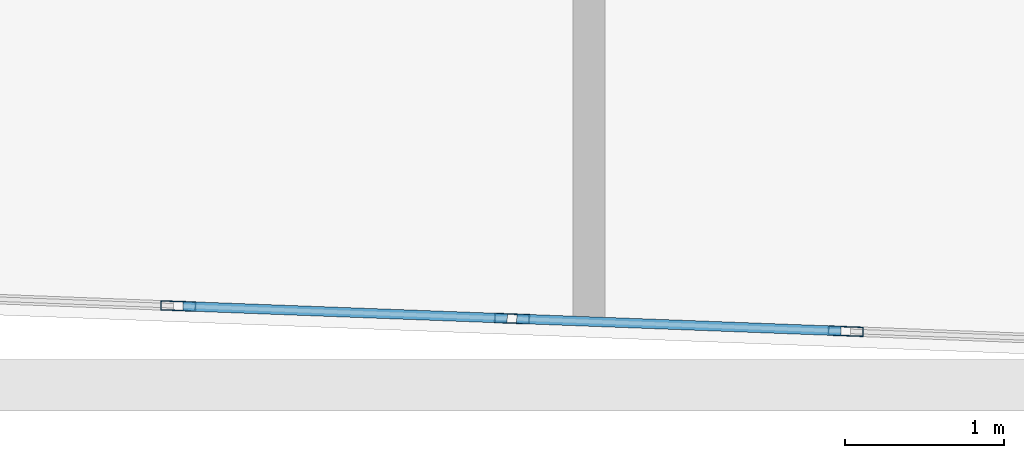
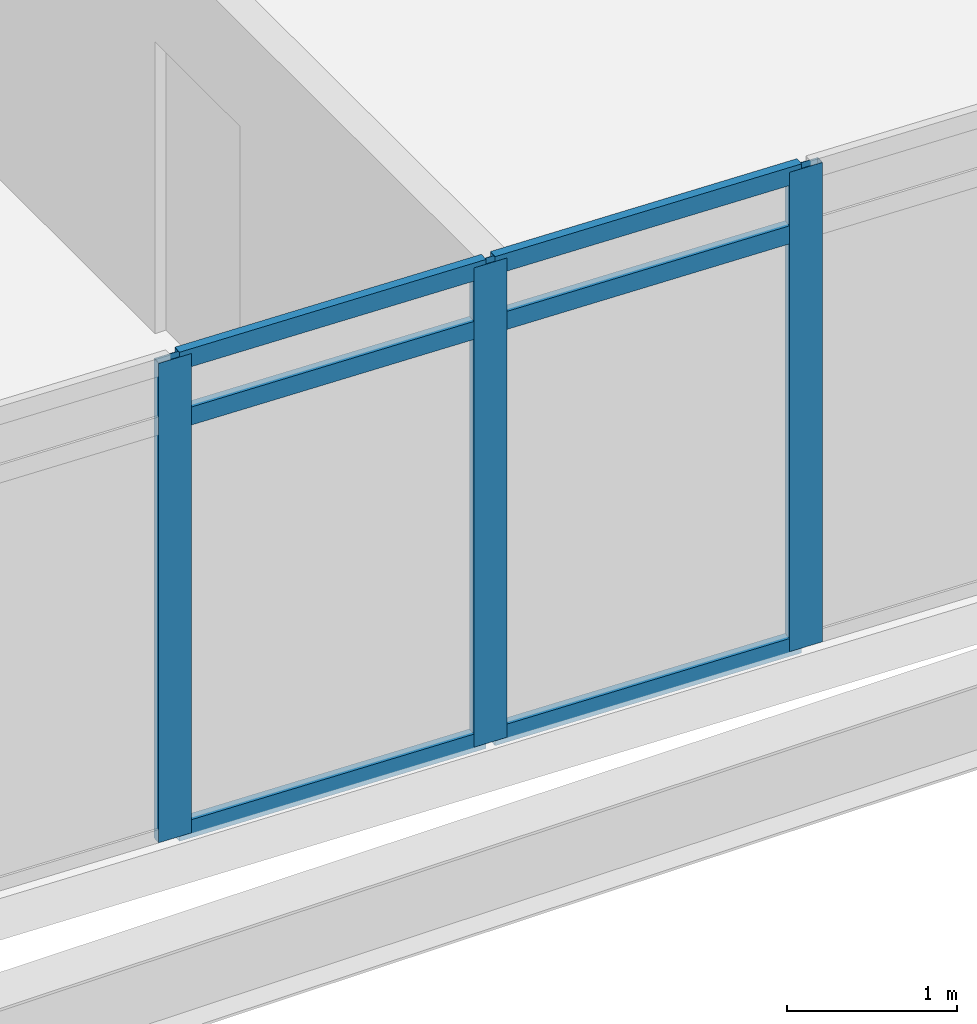
# One storey, part 4 of 25: 9 members, 1 element without a shape of its own.
"""IFC4 building model written with IfcOpenShell, lengths in metres."""

import ifcopenshell
import ifcopenshell.guid

model = None  # the IFC model being written
_history = None  # IfcOwnerHistory: only IFC2X3 demands one
_inside = {}  # id of a spatial element -> (the spatial element, [elements in it])
_under = {}  # id of a project, library or spatial element -> (it, [spatial elements below it])
_declared = {}  # id of a project -> (the project, [libraries it declares])
_typed = {}  # id of a type object -> (the type object, [elements of that type])
_made_of = {}  # id of a material, layer set ... -> (it, [elements and type objects made of it])


def new_model(schema):
    """Start an empty IFC model of exactly this schema.

    Asked for "IFC4X3", IfcOpenShell would pick the latest addendum, in which some entities
    have other attributes; the version numbers below select the first issue.
    IFC2X3 requires an IfcOwnerHistory on every rooted entity: one is made here for all.
    """
    global model, _history
    if schema == "IFC4X3":
        model = ifcopenshell.file(schema_version=(4, 3, 0, 0))
    else:
        model = ifcopenshell.file(schema=schema)
    _inside.clear()
    _under.clear()
    _declared.clear()
    _typed.clear()
    _made_of.clear()
    _history = None
    if model.schema == "IFC2X3":
        org = make("IfcOrganization", Name="unknown")
        user = make(
            "IfcPersonAndOrganization",
            ThePerson=make("IfcPerson", FamilyName="unknown"),
            TheOrganization=org,
        )
        app = make(
            "IfcApplication",
            ApplicationDeveloper=org,
            Version="unknown",
            ApplicationFullName="unknown",
            ApplicationIdentifier="unknown",
        )
        _history = make(
            "IfcOwnerHistory",
            OwningUser=user,
            OwningApplication=app,
            ChangeAction="ADDED",
            CreationDate=0,
        )
    return model


def make(cls, **values):
    """One entity of the class cls with the attributes given. An attribute that is None is left unset."""
    return model.create_entity(
        cls, **{name: value for name, value in values.items() if value is not None}
    )


def rooted(cls, **values):
    """An entity with a GlobalId (a new one), such as an element, a storey or a relation."""
    return make(cls, GlobalId=ifcopenshell.guid.new(), OwnerHistory=_history, **values)


def si_unit(unit_type, name, prefix=None):
    """IfcSIUnit, for example si_unit("LENGTHUNIT", "METRE", prefix="MILLI")."""
    return make("IfcSIUnit", UnitType=unit_type, Prefix=prefix, Name=name)


def assignment(units):
    """IfcUnitAssignment: the units of a project."""
    return None if units is None else make("IfcUnitAssignment", Units=units)


def point(xyz):
    """IfcCartesianPoint."""
    return None if xyz is None else make("IfcCartesianPoint", Coordinates=xyz)


def direction(xyz):
    """IfcDirection."""
    return None if xyz is None else make("IfcDirection", DirectionRatios=xyz)


def frame(location, z_axis=None, x_axis=None):
    """IfcAxis2Placement3D, a coordinate frame: its origin and axes. An axis left out is left unset."""
    return make(
        "IfcAxis2Placement3D",
        Location=point(location),
        Axis=direction(z_axis),
        RefDirection=direction(x_axis),
    )


def frame_2d(location, x_axis=None):
    """IfcAxis2Placement2D, a coordinate frame in the plane: its origin and x axis."""
    return make(
        "IfcAxis2Placement2D", Location=point(location), RefDirection=direction(x_axis)
    )


def origin():
    """The frame at (0, 0, 0) with its axes left unset."""
    return frame((0.0, 0.0, 0.0))


def origin_2d():
    """The frame at (0, 0) in the plane with its x axis left unset."""
    return frame_2d((0.0, 0.0))


def place(relative_to, where):
    """IfcLocalPlacement: puts the frame where relative to a parent placement (None: the world)."""
    return make(
        "IfcLocalPlacement", PlacementRelTo=relative_to, RelativePlacement=where
    )


def context(
    kind, dimensions, precision=None, world=None, true_north=None, identifier=None
):
    """IfcGeometricRepresentationContext, for example the 3D "Model" context."""
    return make(
        "IfcGeometricRepresentationContext",
        ContextIdentifier=identifier,
        ContextType=kind,
        CoordinateSpaceDimension=dimensions,
        Precision=precision,
        WorldCoordinateSystem=world,
        TrueNorth=true_north,
    )


def subcontext(parent, identifier, kind, view, scale=None):
    """IfcGeometricRepresentationSubContext, for example "Body" below "Model"."""
    return make(
        "IfcGeometricRepresentationSubContext",
        ContextIdentifier=identifier,
        ContextType=kind,
        ParentContext=parent,
        TargetScale=scale,
        TargetView=view,
    )


def project(units=None, contexts=None):
    """IfcProject with its units and contexts."""
    return rooted(
        "IfcProject",
        Name="project",
        RepresentationContexts=contexts,
        UnitsInContext=assignment(units),
    )


def spatial(cls, under=None, at=None, **own):
    """A site, building, storey or space (cls), placed at a placement, below another one or the project."""
    s = rooted(cls, ObjectPlacement=at, **own)
    if under is not None:
        _under.setdefault(under.id(), (under, []))[1].append(s)
    return s


def profile(cls, at=None, kind="AREA", **sizes):
    """A parametric profile (cls). Its sizes go by their IFC names, for example OverallWidth=200.0."""
    return make(cls, ProfileType=kind, Position=at, **sizes)


def hollow_rectangle(**sizes):
    """IfcRectangleHollowProfileDef."""
    return profile("IfcRectangleHollowProfileDef", **sizes)


def extrude(swept, where, along, depth):
    """IfcExtrudedAreaSolid: the profile swept, set in the frame where, extruded along a direction by depth."""
    return make(
        "IfcExtrudedAreaSolid",
        SweptArea=swept,
        Position=where,
        ExtrudedDirection=direction(along),
        Depth=depth,
    )


def shape(context_of_items, identifier, shape_type, items):
    """IfcShapeRepresentation: the items that make up one representation, for example the "Body"."""
    return make(
        "IfcShapeRepresentation",
        ContextOfItems=context_of_items,
        RepresentationIdentifier=identifier,
        RepresentationType=shape_type,
        Items=items,
    )


def material(Name=None, Category=None):
    """IfcMaterial."""
    return make("IfcMaterial", Name=Name, Category=Category)


def material_profile(
    of_material, cross_section, Name=None, Category=None, Priority=None
):
    """IfcMaterialProfile: a cross section and its material."""
    return make(
        "IfcMaterialProfile",
        Name=Name,
        Material=of_material,
        Profile=cross_section,
        Priority=Priority,
        Category=Category,
    )


def profile_set(profiles, Name=None, composite=None):
    """IfcMaterialProfileSet."""
    return make(
        "IfcMaterialProfileSet",
        Name=Name,
        MaterialProfiles=profiles,
        CompositeProfile=composite,
    )


def made_of(thing, what):
    """Note that an element or type object is made of a material, layer set ...; save() writes the relation."""
    if what is not None:
        _made_of.setdefault(what.id(), (what, []))[1].append(thing)
    return thing


def type_object(cls, material=None, **own):
    """A type object (cls), such as IfcWallType, which elements share."""
    return made_of(rooted(cls, **own), material)


def element(
    cls,
    number,
    at=None,
    inside=None,
    cuts=None,
    type_object=None,
    material=None,
    context=None,
    identifier="Body",
    shape_type=None,
    held_by="IfcProductDefinitionShape",
    body=None,
    shapes=None,
    **own,
):
    """One element of the class cls, such as IfcWall. Its Tag is "e" and its number.

    at: its placement. inside: the storey or other place that contains it. cuts: it is an
    opening in that element (IfcRelVoidsElement). A single representation is given by context,
    identifier, shape_type and body (its items); several are given by shapes. held_by: the class
    of the entity that holds the representations. save() writes the other relations.
    """
    e = rooted(cls, Tag="e%d" % number, ObjectPlacement=at, **own)
    if body is not None:
        shapes = [shape(context, identifier, shape_type, body)]
    if shapes is not None:
        e.Representation = make(held_by, Representations=shapes)
    if inside is not None:
        _inside.setdefault(inside.id(), (inside, []))[1].append(e)
    if cuts is not None:
        rooted(
            "IfcRelVoidsElement", RelatingBuildingElement=cuts, RelatedOpeningElement=e
        )
    if type_object is not None:
        _typed.setdefault(type_object.id(), (type_object, []))[1].append(e)
    return made_of(e, material)


def aggregate(whole, parts):
    """IfcRelAggregates: a whole, such as a stair, and the parts it consists of."""
    return rooted("IfcRelAggregates", RelatingObject=whole, RelatedObjects=parts)


def save(model, path):
    """Write the relations noted so far, then the file.

    IfcRelAggregates (storeys below a building ...), IfcRelContainedInSpatialStructure (elements
    in a storey), IfcRelDefinesByType, IfcRelAssociatesMaterial and IfcRelDeclares: one each for
    every whole, place, type object, material and project.
    """
    for whole, parts in _under.values():
        aggregate(whole, parts)
    for where, things in _inside.values():
        rooted(
            "IfcRelContainedInSpatialStructure",
            RelatedElements=things,
            RelatingStructure=where,
        )
    for kind, things in _typed.values():
        rooted("IfcRelDefinesByType", RelatedObjects=things, RelatingType=kind)
    for what, things in _made_of.values():
        rooted("IfcRelAssociatesMaterial", RelatedObjects=things, RelatingMaterial=what)
    for by, libraries in _declared.values():
        rooted("IfcRelDeclares", RelatingContext=by, RelatedDefinitions=libraries)
    model.write(path)


model = new_model("IFC4")

# Units and contexts
model_context = context("Model", 3, precision=1e-05, world=origin(), true_north=direction((0.0, 1.0)))
body_context = subcontext(model_context, "Body", "Model", "MODEL_VIEW")
ifc_project = project(units=[si_unit("LENGTHUNIT", "METRE"), si_unit("AREAUNIT", "SQUARE_METRE"), si_unit("VOLUMEUNIT", "CUBIC_METRE"), si_unit("PLANEANGLEUNIT", "RADIAN"), si_unit("MASSUNIT", "GRAM", prefix="KILO")], contexts=[model_context])

# Site, building, storey
site_placement = place(None, origin())
site = spatial("IfcSite", under=ifc_project, at=site_placement, CompositionType="ELEMENT")
building_placement = place(site_placement, origin())
building = spatial("IfcBuilding", under=site, at=building_placement, Name="Ostrander Bayou Hotel Tower", CompositionType="ELEMENT")
storey_placement = place(building_placement, frame((0.0, 0.0, 229.5)))
storey = spatial("IfcBuildingStorey", under=building, at=storey_placement, Name="L57", CompositionType="ELEMENT", Elevation=229.5)

# Curtain wall, members
ifc_material_1 = material(Name="Aluminium and clear glass", Category="aluminium")
curtain_wall_type = type_object("IfcCurtainWallType", Name="CW-BAR glazed wall", PredefinedType="NOTDEFINED", material=ifc_material_1)
curtain_wall_placement = place(storey_placement, origin())
curtain_wall = element("IfcCurtainWall", 1, at=curtain_wall_placement, inside=storey, type_object=curtain_wall_type, Name="CW-BAR L57:SB5S:T", PredefinedType="NOTDEFINED")
ifc_material_2 = material(Name="Aluminium", Category="aluminium")
ifc_material_profile_1 = material_profile(ifc_material_2, hollow_rectangle(XDim=0.06005859375, YDim=0.219970703125, WallThickness=0.00390625, at=origin_2d()))
ifc_profile_set_1 = profile_set([ifc_material_profile_1], Name="Aluminium")
member_type_1 = type_object("IfcMemberType", Name="CW-BR mullion 60 x 220 mm", PredefinedType="MULLION", material=ifc_profile_set_1)
member_1_placement = place(storey_placement, frame((0.0, -29.0, 0.0), z_axis=(0.0, 0.0, 1.0), x_axis=(0.037757725854, 0.99928692283, 0.0)))
member_1 = element("IfcMember", 2, at=member_1_placement, type_object=member_type_1, Name="CW-BAR mullion 6", PredefinedType="MULLION", context=body_context, shape_type="SweptSolid", body=[
    extrude(hollow_rectangle(XDim=0.06005859375, YDim=0.219970703125, WallThickness=0.00390625, at=origin_2d()), origin(), (0.0, 0.0, 1.0), 3.449951171875),
])
member_2_placement = place(storey_placement, frame((2.1025390625, -29.079345703125, 0.0), z_axis=(0.0, 0.0, 1.0), x_axis=(0.037757725854, 0.99928692283, 0.0)))
member_2 = element("IfcMember", 3, at=member_2_placement, type_object=member_type_1, Name="CW-BAR mullion 7", PredefinedType="MULLION", context=body_context, shape_type="SweptSolid", body=[
    extrude(hollow_rectangle(XDim=0.06005859375, YDim=0.219970703125, WallThickness=0.00390625, at=origin_2d()), origin(), (0.0, 0.0, 1.0), 3.449951171875),
])
member_3_placement = place(storey_placement, frame((4.204833984375, -29.158935546875, 0.0), z_axis=(0.0, 0.0, 1.0), x_axis=(0.037757725854, 0.99928692283, 0.0)))
member_3 = element("IfcMember", 4, at=member_3_placement, type_object=member_type_1, Name="CW-BAR mullion 8", PredefinedType="MULLION", context=body_context, shape_type="SweptSolid", body=[
    extrude(hollow_rectangle(XDim=0.06005859375, YDim=0.219970703125, WallThickness=0.00390625, at=origin_2d()), origin(), (0.0, 0.0, 1.0), 3.449951171875),
])
ifc_material_3 = material(Name="Aluminium", Category="aluminium")
ifc_material_profile_2 = material_profile(ifc_material_3, hollow_rectangle(XDim=0.06005859375, YDim=0.1298828125, WallThickness=0.00390625, at=origin_2d()))
ifc_profile_set_2 = profile_set([ifc_material_profile_2], Name="Aluminium")
member_type_2 = type_object("IfcMemberType", Name="CW-BR transom 60 x 130 mm", PredefinedType="USERDEFINED", material=ifc_profile_set_2)
member_4_placement = place(storey_placement, frame((0.030029296875, -29.001220703125, 0.030029296875), z_axis=(0.999287402917, -0.037745017849, 0.0), x_axis=(0.037745017849, 0.999287402917, 0.0)))
member_4 = element("IfcMember", 5, at=member_4_placement, type_object=member_type_2, Name="CW-BAR transom 6.1", ObjectType="TRANSOM", PredefinedType="USERDEFINED", context=body_context, shape_type="SweptSolid", body=[
    extrude(hollow_rectangle(XDim=0.06005859375, YDim=0.1298828125, WallThickness=0.00390625, at=origin_2d()), origin(), (0.0, 0.0, 1.0), 2.0439453125),
])
member_5_placement = place(storey_placement, frame((0.030029296875, -29.001220703125, 3.0), z_axis=(0.999287402917, -0.037745017849, 0.0), x_axis=(0.037745017849, 0.999287402917, 0.0)))
member_5 = element("IfcMember", 6, at=member_5_placement, type_object=member_type_2, Name="CW-BAR transom 6.2", ObjectType="TRANSOM", PredefinedType="USERDEFINED", context=body_context, shape_type="SweptSolid", body=[
    extrude(hollow_rectangle(XDim=0.06005859375, YDim=0.1298828125, WallThickness=0.00390625, at=origin_2d()), origin(), (0.0, 0.0, 1.0), 2.0439453125),
])
member_6_placement = place(storey_placement, frame((0.030029296875, -29.001220703125, 3.419921875), z_axis=(0.999287402917, -0.037745017849, 0.0), x_axis=(0.037745017849, 0.999287402917, 0.0)))
member_6 = element("IfcMember", 7, at=member_6_placement, type_object=member_type_2, Name="CW-BAR transom 6.3", ObjectType="TRANSOM", PredefinedType="USERDEFINED", context=body_context, shape_type="SweptSolid", body=[
    extrude(hollow_rectangle(XDim=0.06005859375, YDim=0.1298828125, WallThickness=0.00390625, at=origin_2d()), origin(), (0.0, 0.0, 1.0), 2.0439453125),
])
member_7_placement = place(storey_placement, frame((2.13232421875, -29.08056640625, 0.030029296875), z_axis=(0.999287402917, -0.037745017849, 0.0), x_axis=(0.037745017849, 0.999287402917, 0.0)))
member_7 = element("IfcMember", 8, at=member_7_placement, type_object=member_type_2, Name="CW-BAR transom 7.1", ObjectType="TRANSOM", PredefinedType="USERDEFINED", context=body_context, shape_type="SweptSolid", body=[
    extrude(hollow_rectangle(XDim=0.06005859375, YDim=0.1298828125, WallThickness=0.00390625, at=origin_2d()), origin(), (0.0, 0.0, 1.0), 2.0439453125),
])
member_8_placement = place(storey_placement, frame((2.13232421875, -29.08056640625, 3.0), z_axis=(0.999287402917, -0.037745017849, 0.0), x_axis=(0.037745017849, 0.999287402917, 0.0)))
member_8 = element("IfcMember", 9, at=member_8_placement, type_object=member_type_2, Name="CW-BAR transom 7.2", ObjectType="TRANSOM", PredefinedType="USERDEFINED", context=body_context, shape_type="SweptSolid", body=[
    extrude(hollow_rectangle(XDim=0.06005859375, YDim=0.1298828125, WallThickness=0.00390625, at=origin_2d()), origin(), (0.0, 0.0, 1.0), 2.0439453125),
])
member_9_placement = place(storey_placement, frame((2.13232421875, -29.08056640625, 3.419921875), z_axis=(0.999287402917, -0.037745017849, 0.0), x_axis=(0.037745017849, 0.999287402917, 0.0)))
member_9 = element("IfcMember", 10, at=member_9_placement, type_object=member_type_2, Name="CW-BAR transom 7.3", ObjectType="TRANSOM", PredefinedType="USERDEFINED", context=body_context, shape_type="SweptSolid", body=[
    extrude(hollow_rectangle(XDim=0.06005859375, YDim=0.1298828125, WallThickness=0.00390625, at=origin_2d()), origin(), (0.0, 0.0, 1.0), 2.0439453125),
])
aggregate(curtain_wall, [member_1, member_2, member_3, member_4, member_5, member_6, member_7, member_8, member_9])

save(model, "model.ifc")
